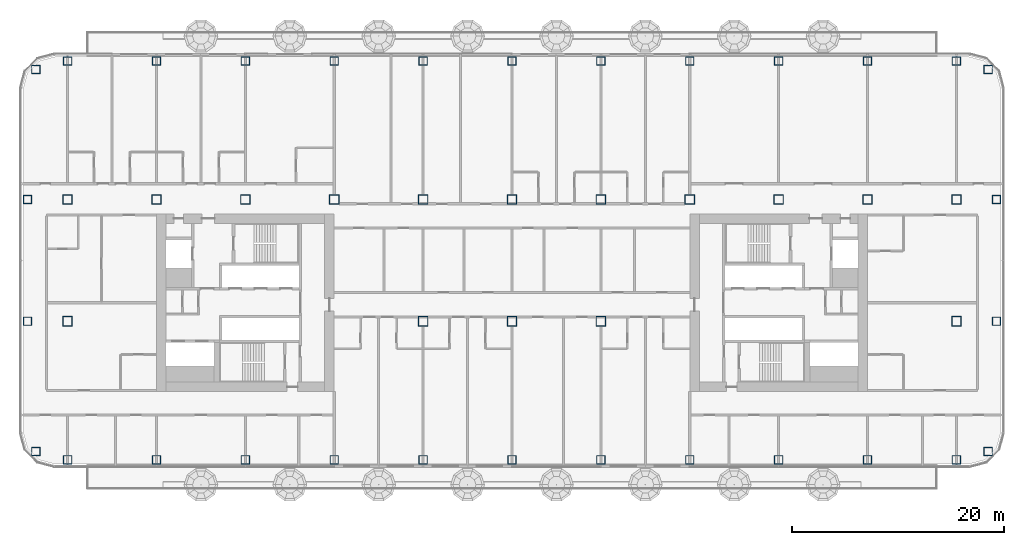
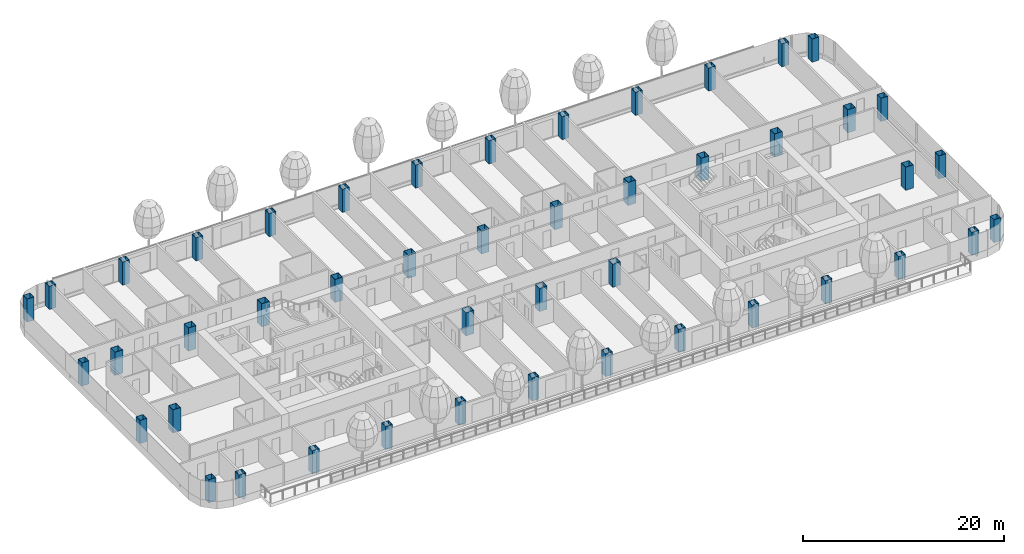
# One storey, part 1 of 34: 46 columns.
"""IFC4 building model written with IfcOpenShell, lengths in metres."""

import ifcopenshell
import ifcopenshell.guid

model = None  # the IFC model being written
_history = None  # IfcOwnerHistory: only IFC2X3 demands one
_inside = {}  # id of a spatial element -> (the spatial element, [elements in it])
_under = {}  # id of a project, library or spatial element -> (it, [spatial elements below it])
_declared = {}  # id of a project -> (the project, [libraries it declares])
_typed = {}  # id of a type object -> (the type object, [elements of that type])
_made_of = {}  # id of a material, layer set ... -> (it, [elements and type objects made of it])


def new_model(schema):
    """Start an empty IFC model of exactly this schema.

    Asked for "IFC4X3", IfcOpenShell would pick the latest addendum, in which some entities
    have other attributes; the version numbers below select the first issue.
    IFC2X3 requires an IfcOwnerHistory on every rooted entity: one is made here for all.
    """
    global model, _history
    if schema == "IFC4X3":
        model = ifcopenshell.file(schema_version=(4, 3, 0, 0))
    else:
        model = ifcopenshell.file(schema=schema)
    _inside.clear()
    _under.clear()
    _declared.clear()
    _typed.clear()
    _made_of.clear()
    _history = None
    if model.schema == "IFC2X3":
        org = make("IfcOrganization", Name="unknown")
        user = make(
            "IfcPersonAndOrganization",
            ThePerson=make("IfcPerson", FamilyName="unknown"),
            TheOrganization=org,
        )
        app = make(
            "IfcApplication",
            ApplicationDeveloper=org,
            Version="unknown",
            ApplicationFullName="unknown",
            ApplicationIdentifier="unknown",
        )
        _history = make(
            "IfcOwnerHistory",
            OwningUser=user,
            OwningApplication=app,
            ChangeAction="ADDED",
            CreationDate=0,
        )
    return model


def make(cls, **values):
    """One entity of the class cls with the attributes given. An attribute that is None is left unset."""
    return model.create_entity(
        cls, **{name: value for name, value in values.items() if value is not None}
    )


def rooted(cls, **values):
    """An entity with a GlobalId (a new one), such as an element, a storey or a relation."""
    return make(cls, GlobalId=ifcopenshell.guid.new(), OwnerHistory=_history, **values)


def si_unit(unit_type, name, prefix=None):
    """IfcSIUnit, for example si_unit("LENGTHUNIT", "METRE", prefix="MILLI")."""
    return make("IfcSIUnit", UnitType=unit_type, Prefix=prefix, Name=name)


def assignment(units):
    """IfcUnitAssignment: the units of a project."""
    return None if units is None else make("IfcUnitAssignment", Units=units)


def point(xyz):
    """IfcCartesianPoint."""
    return None if xyz is None else make("IfcCartesianPoint", Coordinates=xyz)


def direction(xyz):
    """IfcDirection."""
    return None if xyz is None else make("IfcDirection", DirectionRatios=xyz)


def frame(location, z_axis=None, x_axis=None):
    """IfcAxis2Placement3D, a coordinate frame: its origin and axes. An axis left out is left unset."""
    return make(
        "IfcAxis2Placement3D",
        Location=point(location),
        Axis=direction(z_axis),
        RefDirection=direction(x_axis),
    )


def frame_2d(location, x_axis=None):
    """IfcAxis2Placement2D, a coordinate frame in the plane: its origin and x axis."""
    return make(
        "IfcAxis2Placement2D", Location=point(location), RefDirection=direction(x_axis)
    )


def origin():
    """The frame at (0, 0, 0) with its axes left unset."""
    return frame((0.0, 0.0, 0.0))


def origin_2d():
    """The frame at (0, 0) in the plane with its x axis left unset."""
    return frame_2d((0.0, 0.0))


def place(relative_to, where):
    """IfcLocalPlacement: puts the frame where relative to a parent placement (None: the world)."""
    return make(
        "IfcLocalPlacement", PlacementRelTo=relative_to, RelativePlacement=where
    )


def context(
    kind, dimensions, precision=None, world=None, true_north=None, identifier=None
):
    """IfcGeometricRepresentationContext, for example the 3D "Model" context."""
    return make(
        "IfcGeometricRepresentationContext",
        ContextIdentifier=identifier,
        ContextType=kind,
        CoordinateSpaceDimension=dimensions,
        Precision=precision,
        WorldCoordinateSystem=world,
        TrueNorth=true_north,
    )


def subcontext(parent, identifier, kind, view, scale=None):
    """IfcGeometricRepresentationSubContext, for example "Body" below "Model"."""
    return make(
        "IfcGeometricRepresentationSubContext",
        ContextIdentifier=identifier,
        ContextType=kind,
        ParentContext=parent,
        TargetScale=scale,
        TargetView=view,
    )


def project(units=None, contexts=None):
    """IfcProject with its units and contexts."""
    return rooted(
        "IfcProject",
        Name="project",
        RepresentationContexts=contexts,
        UnitsInContext=assignment(units),
    )


def spatial(cls, under=None, at=None, **own):
    """A site, building, storey or space (cls), placed at a placement, below another one or the project."""
    s = rooted(cls, ObjectPlacement=at, **own)
    if under is not None:
        _under.setdefault(under.id(), (under, []))[1].append(s)
    return s


def profile(cls, at=None, kind="AREA", **sizes):
    """A parametric profile (cls). Its sizes go by their IFC names, for example OverallWidth=200.0."""
    return make(cls, ProfileType=kind, Position=at, **sizes)


def hollow_rectangle(**sizes):
    """IfcRectangleHollowProfileDef."""
    return profile("IfcRectangleHollowProfileDef", **sizes)


def extrude(swept, where, along, depth):
    """IfcExtrudedAreaSolid: the profile swept, set in the frame where, extruded along a direction by depth."""
    return make(
        "IfcExtrudedAreaSolid",
        SweptArea=swept,
        Position=where,
        ExtrudedDirection=direction(along),
        Depth=depth,
    )


def shape(context_of_items, identifier, shape_type, items):
    """IfcShapeRepresentation: the items that make up one representation, for example the "Body"."""
    return make(
        "IfcShapeRepresentation",
        ContextOfItems=context_of_items,
        RepresentationIdentifier=identifier,
        RepresentationType=shape_type,
        Items=items,
    )


def material(Name=None, Category=None):
    """IfcMaterial."""
    return make("IfcMaterial", Name=Name, Category=Category)


def material_profile(
    of_material, cross_section, Name=None, Category=None, Priority=None
):
    """IfcMaterialProfile: a cross section and its material."""
    return make(
        "IfcMaterialProfile",
        Name=Name,
        Material=of_material,
        Profile=cross_section,
        Priority=Priority,
        Category=Category,
    )


def profile_set(profiles, Name=None, composite=None):
    """IfcMaterialProfileSet."""
    return make(
        "IfcMaterialProfileSet",
        Name=Name,
        MaterialProfiles=profiles,
        CompositeProfile=composite,
    )


def made_of(thing, what):
    """Note that an element or type object is made of a material, layer set ...; save() writes the relation."""
    if what is not None:
        _made_of.setdefault(what.id(), (what, []))[1].append(thing)
    return thing


def type_object(cls, material=None, **own):
    """A type object (cls), such as IfcWallType, which elements share."""
    return made_of(rooted(cls, **own), material)


def element(
    cls,
    number,
    at=None,
    inside=None,
    cuts=None,
    type_object=None,
    material=None,
    context=None,
    identifier="Body",
    shape_type=None,
    held_by="IfcProductDefinitionShape",
    body=None,
    shapes=None,
    **own,
):
    """One element of the class cls, such as IfcWall. Its Tag is "e" and its number.

    at: its placement. inside: the storey or other place that contains it. cuts: it is an
    opening in that element (IfcRelVoidsElement). A single representation is given by context,
    identifier, shape_type and body (its items); several are given by shapes. held_by: the class
    of the entity that holds the representations. save() writes the other relations.
    """
    e = rooted(cls, Tag="e%d" % number, ObjectPlacement=at, **own)
    if body is not None:
        shapes = [shape(context, identifier, shape_type, body)]
    if shapes is not None:
        e.Representation = make(held_by, Representations=shapes)
    if inside is not None:
        _inside.setdefault(inside.id(), (inside, []))[1].append(e)
    if cuts is not None:
        rooted(
            "IfcRelVoidsElement", RelatingBuildingElement=cuts, RelatedOpeningElement=e
        )
    if type_object is not None:
        _typed.setdefault(type_object.id(), (type_object, []))[1].append(e)
    return made_of(e, material)


def aggregate(whole, parts):
    """IfcRelAggregates: a whole, such as a stair, and the parts it consists of."""
    return rooted("IfcRelAggregates", RelatingObject=whole, RelatedObjects=parts)


def save(model, path):
    """Write the relations noted so far, then the file.

    IfcRelAggregates (storeys below a building ...), IfcRelContainedInSpatialStructure (elements
    in a storey), IfcRelDefinesByType, IfcRelAssociatesMaterial and IfcRelDeclares: one each for
    every whole, place, type object, material and project.
    """
    for whole, parts in _under.values():
        aggregate(whole, parts)
    for where, things in _inside.values():
        rooted(
            "IfcRelContainedInSpatialStructure",
            RelatedElements=things,
            RelatingStructure=where,
        )
    for kind, things in _typed.values():
        rooted("IfcRelDefinesByType", RelatedObjects=things, RelatingType=kind)
    for what, things in _made_of.values():
        rooted("IfcRelAssociatesMaterial", RelatedObjects=things, RelatingMaterial=what)
    for by, libraries in _declared.values():
        rooted("IfcRelDeclares", RelatingContext=by, RelatedDefinitions=libraries)
    model.write(path)


model = new_model("IFC4")

# Units and contexts
model_context = context("Model", 3, precision=1e-05, world=origin(), true_north=direction((0.0, 1.0)))
body_context = subcontext(model_context, "Body", "Model", "MODEL_VIEW")
ifc_project = project(units=[si_unit("LENGTHUNIT", "METRE"), si_unit("AREAUNIT", "SQUARE_METRE"), si_unit("VOLUMEUNIT", "CUBIC_METRE"), si_unit("PLANEANGLEUNIT", "RADIAN"), si_unit("MASSUNIT", "GRAM", prefix="KILO")], contexts=[model_context])

# Site, building, storey
site_placement = place(None, origin())
site = spatial("IfcSite", under=ifc_project, at=site_placement, CompositionType="ELEMENT")
building_placement = place(site_placement, origin())
building = spatial("IfcBuilding", under=site, at=building_placement, Name="Hakoniwa Tower and Hamabe Station Hall", CompositionType="ELEMENT")
storey_placement = place(building_placement, frame((0.0, 0.0, 94.60009765625)))
storey = spatial("IfcBuildingStorey", under=building, at=storey_placement, Name="L26", CompositionType="ELEMENT", Elevation=94.60009765625)

# Columns
ifc_material_1 = material(Name="Steel SN490C", Category="steel")
ifc_material_profile_1 = material_profile(ifc_material_1, hollow_rectangle(XDim=0.800048828125, YDim=0.800048828125, WallThickness=0.031982421875, at=origin_2d()), Name="BX-800x800x32")
ifc_profile_set_1 = profile_set([ifc_material_profile_1], Name="Steel SN490C")
column_type_1 = type_object("IfcColumnType", Name="COLUMN BX-800x800x32", PredefinedType="COLUMN", material=ifc_profile_set_1)
for number, where, z_axis, x_axis, name in (
    (1, (-45.003173828125, -14.052978515625, 0.0), (0.0, 0.0, 1.0), (1.0, 0.0, 0.0), "Column B2-EW-A2"),
    (2, (-45.800048828125, -1.75, 0.0), (0.0, 0.0, 1.0), (1.0, 0.0, 0.0), "Column B2-EW-C2"),
    (3, (-45.800048828125, 9.75, 0.0), (0.0, 0.0, 1.0), (1.0, 0.0, 0.0), "Column B2-EW-E2"),
    (4, (-45.003173828125, 22.052978515625, 0.0), (0.0, 0.0, 1.0), (1.0, 0.0, 0.0), "Column B2-EW-G2"),
    (5, (-42.0, -14.85009765625, 0.0), (0.0, 0.0, 1.0), (1.0, 0.0, 0.0), "Column B2-2-A2"),
    (6, (-42.0, 22.85009765625, 0.0), (0.0, 0.0, 1.0), (1.0, 0.0, 0.0), "Column B2-2-G2"),
    (7, (-33.60009765625, -14.85009765625, 0.0), (0.0, 0.0, 1.0), (1.0, 0.0, 0.0), "Column B2-3-A2"),
    (8, (-33.60009765625, 22.85009765625, 0.0), (0.0, 0.0, 1.0), (1.0, 0.0, 0.0), "Column B2-3-G2"),
    (9, (-25.199951171875, -14.85009765625, 0.0), (0.0, 0.0, 1.0), (1.0, 0.0, 0.0), "Column B2-4-A2"),
    (10, (-25.199951171875, 22.85009765625, 0.0), (0.0, 0.0, 1.0), (1.0, 0.0, 0.0), "Column B2-4-G2"),
    (11, (-16.800048828125, -14.85009765625, 0.0), (0.0, 0.0, 1.0), (1.0, 0.0, 0.0), "Column B2-5-A2"),
    (12, (-16.800048828125, 22.85009765625, 0.0), (0.0, 0.0, 1.0), (1.0, 0.0, 0.0), "Column B2-5-G2"),
    (13, (-8.39990234375, -14.85009765625, 0.0), (0.0, 0.0, 1.0), (1.0, 0.0, 0.0), "Column B2-6-A2"),
    (14, (-8.39990234375, 22.85009765625, 0.0), (0.0, 0.0, 1.0), (1.0, 0.0, 0.0), "Column B2-6-G2"),
    (15, (0.0, -14.85009765625, 0.0), (0.0, 0.0, 1.0), (1.0, 0.0, 0.0), "Column B2-7-A2"),
    (16, (0.0, 22.85009765625, 0.0), (0.0, 0.0, 1.0), (1.0, 0.0, 0.0), "Column B2-7-G2"),
    (17, (8.39990234375, -14.85009765625, 0.0), (0.0, 0.0, 1.0), (1.0, 0.0, 0.0), "Column B2-8-A2"),
    (18, (8.39990234375, 22.85009765625, 0.0), (0.0, 0.0, 1.0), (1.0, 0.0, 0.0), "Column B2-8-G2"),
    (19, (16.800048828125, -14.85009765625, 0.0), (0.0, 0.0, 1.0), (1.0, 0.0, 0.0), "Column B2-9-A2"),
    (20, (16.800048828125, 22.85009765625, 0.0), (0.0, 0.0, 1.0), (1.0, 0.0, 0.0), "Column B2-9-G2"),
    (21, (25.199951171875, -14.85009765625, 0.0), (0.0, 0.0, 1.0), (1.0, 0.0, 0.0), "Column B2-10-A2"),
    (22, (25.199951171875, 22.85009765625, 0.0), (0.0, 0.0, 1.0), (1.0, 0.0, 0.0), "Column B2-10-G2"),
    (23, (33.60009765625, -14.85009765625, 0.0), (0.0, 0.0, 1.0), (1.0, 0.0, 0.0), "Column B2-11-A2"),
    (24, (33.60009765625, 22.85009765625, 0.0), (0.0, 0.0, 1.0), (1.0, 0.0, 0.0), "Column B2-11-G2"),
    (25, (42.0, -14.85009765625, 0.0), (0.0, 0.0, 1.0), (1.0, 0.0, 0.0), "Column B2-12-A2"),
    (26, (42.0, 22.85009765625, 0.0), (0.0, 0.0, 1.0), (1.0, 0.0, 0.0), "Column B2-12-G2"),
    (27, (45.003173828125, -14.052978515625, 0.0), (0.0, 0.0, 1.0), (1.0, 0.0, 0.0), "Column B2-EE-A2"),
    (28, (45.800048828125, -1.75, 0.0), (0.0, 0.0, 1.0), (1.0, 0.0, 0.0), "Column B2-EE-C2"),
    (29, (45.800048828125, 9.75, 0.0), (0.0, 0.0, 1.0), (1.0, 0.0, 0.0), "Column B2-EE-E2"),
    (30, (45.003173828125, 22.052978515625, 0.0), (0.0, 0.0, 1.0), (1.0, 0.0, 0.0), "Column B2-EE-G2"),
):
    element("IfcColumn", number, at=place(storey_placement, frame(where, z_axis=z_axis, x_axis=x_axis)), inside=storey, type_object=column_type_1, Name=name, PredefinedType="COLUMN", context=body_context, shape_type="SweptSolid", body=[
        extrude(hollow_rectangle(XDim=0.800048828125, YDim=0.800048828125, WallThickness=0.031982421875, at=origin_2d()), origin(), (0.0, 0.0, 1.0), 2.7998046875),
    ])
ifc_material_2 = material(Name="Steel SN490C", Category="steel")
ifc_material_profile_2 = material_profile(ifc_material_2, hollow_rectangle(XDim=0.89990234375, YDim=0.89990234375, WallThickness=0.035888671875, at=origin_2d()), Name="BX-900x900x36")
ifc_profile_set_2 = profile_set([ifc_material_profile_2], Name="Steel SN490C")
column_type_2 = type_object("IfcColumnType", Name="COLUMN BX-900x900x36", PredefinedType="COLUMN", material=ifc_profile_set_2)
for number, where, z_axis, x_axis, name in (
    (31, (-42.0, -1.75, 0.0), (0.0, 0.0, 1.0), (1.0, 0.0, 0.0), "Column B2-2-C2"),
    (32, (-42.0, 9.75, 0.0), (0.0, 0.0, 1.0), (1.0, 0.0, 0.0), "Column B2-2-E2"),
    (33, (-33.60009765625, 9.75, 0.0), (0.0, 0.0, 1.0), (1.0, 0.0, 0.0), "Column B2-3-E2"),
    (34, (-25.199951171875, 9.75, 0.0), (0.0, 0.0, 1.0), (1.0, 0.0, 0.0), "Column B2-4-E2"),
    (35, (-16.800048828125, 9.75, 0.0), (0.0, 0.0, 1.0), (1.0, 0.0, 0.0), "Column B2-5-E2"),
    (36, (-8.39990234375, -1.75, 0.0), (0.0, 0.0, 1.0), (1.0, 0.0, 0.0), "Column B2-6-C2"),
    (37, (-8.39990234375, 9.75, 0.0), (0.0, 0.0, 1.0), (1.0, 0.0, 0.0), "Column B2-6-E2"),
    (38, (0.0, -1.75, 0.0), (0.0, 0.0, 1.0), (1.0, 0.0, 0.0), "Column B2-7-C2"),
    (39, (0.0, 9.75, 0.0), (0.0, 0.0, 1.0), (1.0, 0.0, 0.0), "Column B2-7-E2"),
    (40, (8.39990234375, -1.75, 0.0), (0.0, 0.0, 1.0), (1.0, 0.0, 0.0), "Column B2-8-C2"),
    (41, (8.39990234375, 9.75, 0.0), (0.0, 0.0, 1.0), (1.0, 0.0, 0.0), "Column B2-8-E2"),
    (42, (16.800048828125, 9.75, 0.0), (0.0, 0.0, 1.0), (1.0, 0.0, 0.0), "Column B2-9-E2"),
    (43, (25.199951171875, 9.75, 0.0), (0.0, 0.0, 1.0), (1.0, 0.0, 0.0), "Column B2-10-E2"),
    (44, (33.60009765625, 9.75, 0.0), (0.0, 0.0, 1.0), (1.0, 0.0, 0.0), "Column B2-11-E2"),
    (45, (42.0, -1.75, 0.0), (0.0, 0.0, 1.0), (1.0, 0.0, 0.0), "Column B2-12-C2"),
    (46, (42.0, 9.75, 0.0), (0.0, 0.0, 1.0), (1.0, 0.0, 0.0), "Column B2-12-E2"),
):
    element("IfcColumn", number, at=place(storey_placement, frame(where, z_axis=z_axis, x_axis=x_axis)), inside=storey, type_object=column_type_2, Name=name, PredefinedType="COLUMN", context=body_context, shape_type="SweptSolid", body=[
        extrude(hollow_rectangle(XDim=0.89990234375, YDim=0.89990234375, WallThickness=0.035888671875, at=origin_2d()), origin(), (0.0, 0.0, 1.0), 2.7998046875),
    ])

save(model, "model.ifc")
